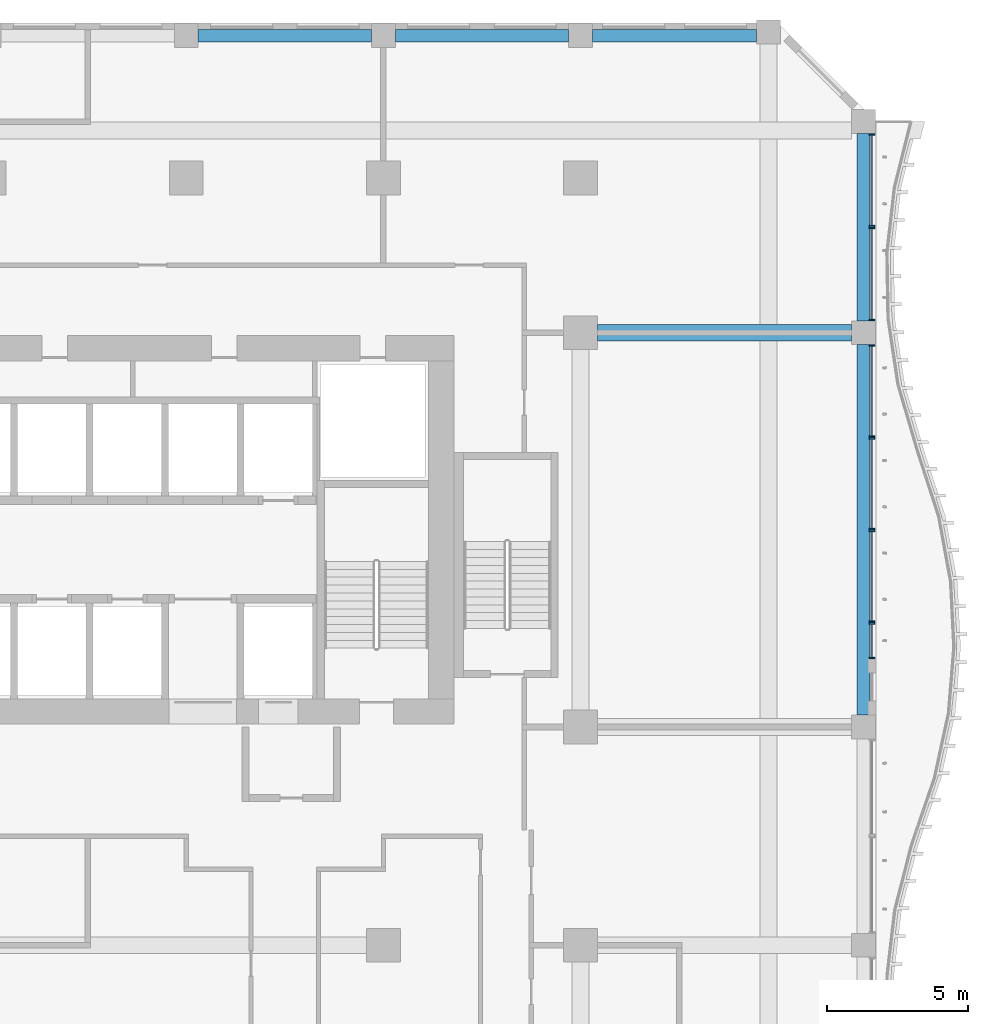
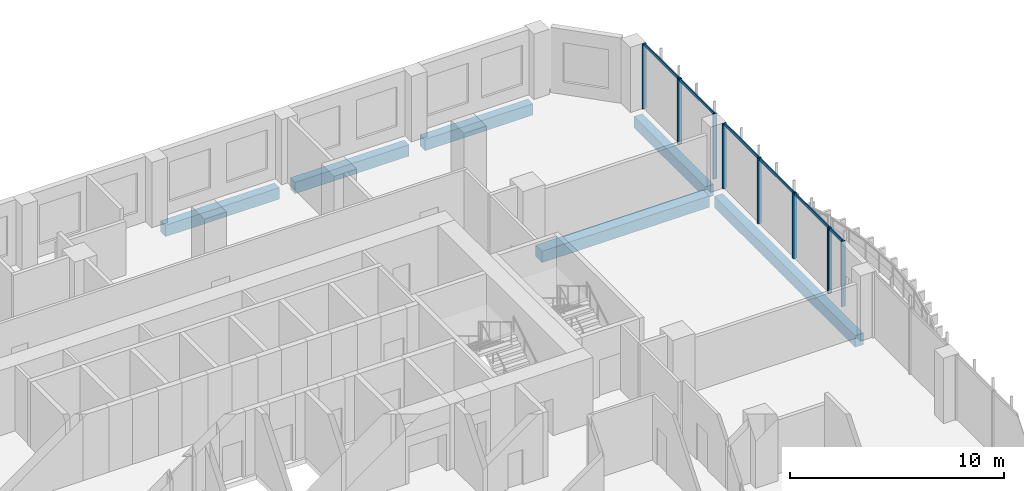
# One storey, part 10 of 26: 18 members, 6 beams, 6 elements without a shape of their own.
"""IFC4 building model written with IfcOpenShell, lengths in metres."""

from ifc_helpers import new_model, si_unit, direction, frame, origin, origin_2d, place, context, subcontext, project, spatial, rectangle, extrude, source, transform, mapped, material, material_profile, profile_set, type_object, element, aggregate, save


model = new_model("IFC4")

# Units and contexts
model_context = context("Model", 3, precision=1e-05, world=origin(), true_north=direction((0.0, 1.0)))
body_context = subcontext(model_context, "Body", "Model", "MODEL_VIEW")
ifc_project = project(units=[si_unit("LENGTHUNIT", "METRE"), si_unit("AREAUNIT", "SQUARE_METRE"), si_unit("VOLUMEUNIT", "CUBIC_METRE"), si_unit("PLANEANGLEUNIT", "RADIAN"), si_unit("MASSUNIT", "GRAM", prefix="KILO")], contexts=[model_context])

# Site, building, storey
site_placement = place(None, origin())
site = spatial("IfcSite", under=ifc_project, at=site_placement, CompositionType="ELEMENT")
building_placement = place(site_placement, origin())
building = spatial("IfcBuilding", under=site, at=building_placement, Name="Kilnfold Tower and Market Hall", CompositionType="ELEMENT")
storey_placement = place(building_placement, frame((0.0, 0.0, 104.60009765625)))
storey = spatial("IfcBuildingStorey", under=building, at=storey_placement, Name="L24", CompositionType="ELEMENT", Elevation=104.60009765625)

# Beams
ifc_material_1 = material(Name="Concrete C45", Category="concrete")
ifc_material_profile_1 = material_profile(ifc_material_1, rectangle(XDim=0.449951171875, YDim=0.64990234375, at=origin_2d()), Name="RC 450x650")
ifc_profile_set_1 = profile_set([ifc_material_profile_1], Name="Concrete C45")
beam_type_1 = type_object("IfcBeamType", Name="EDGE BEAM 450X650 C45", PredefinedType="BEAM", material=ifc_profile_set_1)
shared_shape_1 = source(origin(), body_context, "Body", "SweptSolid", [
    extrude(rectangle(XDim=0.449951171875, YDim=0.64990234375, at=origin_2d()), origin(), (0.0, 0.0, 1.0), 6.14990234375),
])
for number, where, z_axis, x_axis, name in (
    (1, (8.925048828125, 32.550048828125, -0.60498046875), (1.0, 0.0, 0.0), (0.0, 1.0, 0.0), "Beam EB650-B3.71"),
    (2, (15.925048828125, 32.550048828125, -0.60498046875), (1.0, 0.0, 0.0), (0.0, 1.0, 0.0), "Beam EB650-B3.72"),
):
    element("IfcBeam", number, at=place(storey_placement, frame(where, z_axis=z_axis, x_axis=x_axis)), inside=storey, type_object=beam_type_1, Name=name, PredefinedType="BEAM", context=body_context, shape_type="MappedRepresentation", body=[
        mapped(shared_shape_1, transform((0.0, 0.0, 0.0))),
    ])
ifc_material_2 = material(Name="Concrete C45", Category="concrete")
ifc_material_profile_2 = material_profile(ifc_material_2, rectangle(XDim=0.60009765625, YDim=0.64990234375, at=origin_2d()), Name="RC 600x650")
ifc_profile_set_2 = profile_set([ifc_material_profile_2], Name="Concrete C45")
beam_type_2 = type_object("IfcBeamType", Name="BEAM 600X650 C45", PredefinedType="BEAM", material=ifc_profile_set_2)
shared_shape_2 = source(origin(), body_context, "Body", "SweptSolid", [
    extrude(rectangle(XDim=0.60009765625, YDim=0.64990234375, at=origin_2d()), origin(), (0.0, 0.0, 1.0), 9.02490234375),
])
beam_1_placement = place(storey_placement, frame((23.10009765625, 22.0, -0.60498046875), z_axis=(1.0, 0.0, 0.0), x_axis=(0.0, 1.0, 0.0)))
element("IfcBeam", 3, at=beam_1_placement, inside=storey, type_object=beam_type_2, Name="Beam BB650-B3.65", PredefinedType="BEAM", context=body_context, shape_type="MappedRepresentation", body=[
    mapped(shared_shape_2, transform((0.0, 0.0, 0.0))),
])
shared_shape_3 = source(origin(), body_context, "Body", "SweptSolid", [
    extrude(rectangle(XDim=0.449951171875, YDim=0.64990234375, at=origin_2d()), origin(), (0.0, 0.0, 1.0), 5.831787109375),
])
beam_2_placement = place(storey_placement, frame((22.925048828125, 32.550048828125, -0.60498046875), z_axis=(1.0, 0.0, 0.0), x_axis=(0.0, 1.0, 0.0)))
element("IfcBeam", 4, at=beam_2_placement, inside=storey, type_object=beam_type_1, Name="Beam EB650-B3.73", PredefinedType="BEAM", context=body_context, shape_type="MappedRepresentation", body=[
    mapped(shared_shape_3, transform((0.0, 0.0, 0.0))),
])
shared_shape_4 = source(origin(), body_context, "Body", "SweptSolid", [
    extrude(rectangle(XDim=0.449951171875, YDim=0.64990234375, at=origin_2d()), origin(), (0.0, 0.0, 1.0), 13.14990234375),
])
beam_3_placement = place(storey_placement, frame((32.550048828125, 8.425048828125, -0.60498046875), z_axis=(0.0, 1.0, 0.0), x_axis=(-1.0, 0.0, 0.0)))
element("IfcBeam", 5, at=beam_3_placement, inside=storey, type_object=beam_type_1, Name="Beam EB650-B3.86", PredefinedType="BEAM", context=body_context, shape_type="MappedRepresentation", body=[
    mapped(shared_shape_4, transform((0.0, 0.0, 0.0))),
])
shared_shape_5 = source(origin(), body_context, "Body", "SweptSolid", [
    extrude(rectangle(XDim=0.449951171875, YDim=0.64990234375, at=origin_2d()), origin(), (0.0, 0.0, 1.0), 6.64990234375),
])
beam_4_placement = place(storey_placement, frame((32.550048828125, 22.425048828125, -0.60498046875), z_axis=(0.0, 1.0, 0.0), x_axis=(-1.0, 0.0, 0.0)))
element("IfcBeam", 6, at=beam_4_placement, inside=storey, type_object=beam_type_1, Name="Beam EB650-B3.87", PredefinedType="BEAM", context=body_context, shape_type="MappedRepresentation", body=[
    mapped(shared_shape_5, transform((0.0, 0.0, 0.0))),
])

# Curtain wall, members
ifc_material_3 = material(Name="Aluminium and double glazing", Category="aluminium")
curtain_wall_type = type_object("IfcCurtainWallType", Name="CW OF2 VALLEY GLAZING", PredefinedType="NOTDEFINED", material=ifc_material_3)
curtain_wall_1_placement = place(storey_placement, origin())
curtain_wall_1 = element("IfcCurtainWall", 7, at=curtain_wall_1_placement, inside=storey, type_object=curtain_wall_type, Name="Curtain wall CW2 L24 E", PredefinedType="NOTDEFINED")
ifc_material_4 = material(Name="Aluminium", Category="aluminium")
ifc_material_profile_3 = material_profile(ifc_material_4, rectangle(XDim=0.06005859375, YDim=0.199951171875, at=origin_2d()), Name="MULLION 60x200")
ifc_profile_set_3 = profile_set([ifc_material_profile_3], Name="Aluminium")
member_type_1 = type_object("IfcMemberType", Name="MULLION 60X200", PredefinedType="MULLION", material=ifc_profile_set_3)
shared_shape_6 = source(origin(), body_context, "Body", "SweptSolid", [
    extrude(rectangle(XDim=0.06005859375, YDim=0.199951171875, at=origin_2d()), origin(), (0.0, 0.0, 1.0), 3.719970703125),
])
member_1_placement = place(storey_placement, frame((32.85009765625, 10.455078125, 0.0), z_axis=(0.0, 0.0, 1.0), x_axis=(0.0, 1.0, 0.0)))
member_1 = element("IfcMember", 8, at=member_1_placement, type_object=member_type_1, Name="CW2 mullion 1", PredefinedType="MULLION", context=body_context, shape_type="MappedRepresentation", body=[
    mapped(shared_shape_6, transform((0.0, 0.0, 0.0))),
])
member_2_placement = place(storey_placement, frame((32.85009765625, 11.6826171875, 0.0), z_axis=(0.0, 0.0, 1.0), x_axis=(0.0, 1.0, 0.0)))
member_2 = element("IfcMember", 9, at=member_2_placement, type_object=member_type_1, Name="CW2 mullion 2", PredefinedType="MULLION", context=body_context, shape_type="MappedRepresentation", body=[
    mapped(shared_shape_6, transform((0.0, 0.0, 0.0))),
])

curtain_wall_2_placement = place(storey_placement, origin())
curtain_wall_2 = element("IfcCurtainWall", 10, at=curtain_wall_2_placement, inside=storey, type_object=curtain_wall_type, Name="Curtain wall CW2 L24 E", PredefinedType="NOTDEFINED")
member_3_placement = place(storey_placement, frame((32.85009765625, 11.742431640625, 0.0), z_axis=(0.0, 0.0, 1.0), x_axis=(0.0, 1.0, 0.0)))
member_3 = element("IfcMember", 11, at=member_3_placement, type_object=member_type_1, Name="CW2 mullion 1", PredefinedType="MULLION", context=body_context, shape_type="MappedRepresentation", body=[
    mapped(shared_shape_6, transform((0.0, 0.0, 0.0))),
])
member_4_placement = place(storey_placement, frame((32.85009765625, 14.969970703125, 0.0), z_axis=(0.0, 0.0, 1.0), x_axis=(0.0, 1.0, 0.0)))
member_4 = element("IfcMember", 12, at=member_4_placement, type_object=member_type_1, Name="CW2 mullion 2", PredefinedType="MULLION", context=body_context, shape_type="MappedRepresentation", body=[
    mapped(shared_shape_6, transform((0.0, 0.0, 0.0))),
])

curtain_wall_3_placement = place(storey_placement, origin())
curtain_wall_3 = element("IfcCurtainWall", 13, at=curtain_wall_3_placement, inside=storey, type_object=curtain_wall_type, Name="Curtain wall CW2 L24 E", PredefinedType="NOTDEFINED")
member_5_placement = place(storey_placement, frame((32.85009765625, 15.030029296875, 0.0), z_axis=(0.0, 0.0, 1.0), x_axis=(0.0, 1.0, 0.0)))
member_5 = element("IfcMember", 14, at=member_5_placement, type_object=member_type_1, Name="CW2 mullion 1", PredefinedType="MULLION", context=body_context, shape_type="MappedRepresentation", body=[
    mapped(shared_shape_6, transform((0.0, 0.0, 0.0))),
])
member_6_placement = place(storey_placement, frame((32.85009765625, 18.257568359375, 0.0), z_axis=(0.0, 0.0, 1.0), x_axis=(0.0, 1.0, 0.0)))
member_6 = element("IfcMember", 15, at=member_6_placement, type_object=member_type_1, Name="CW2 mullion 2", PredefinedType="MULLION", context=body_context, shape_type="MappedRepresentation", body=[
    mapped(shared_shape_6, transform((0.0, 0.0, 0.0))),
])

curtain_wall_4_placement = place(storey_placement, origin())
curtain_wall_4 = element("IfcCurtainWall", 16, at=curtain_wall_4_placement, inside=storey, type_object=curtain_wall_type, Name="Curtain wall CW2 L24 E", PredefinedType="NOTDEFINED")
member_7_placement = place(storey_placement, frame((32.85009765625, 18.3173828125, 0.0), z_axis=(0.0, 0.0, 1.0), x_axis=(0.0, 1.0, 0.0)))
member_7 = element("IfcMember", 17, at=member_7_placement, type_object=member_type_1, Name="CW2 mullion 1", PredefinedType="MULLION", context=body_context, shape_type="MappedRepresentation", body=[
    mapped(shared_shape_6, transform((0.0, 0.0, 0.0))),
])
member_8_placement = place(storey_placement, frame((32.85009765625, 21.544921875, 0.0), z_axis=(0.0, 0.0, 1.0), x_axis=(0.0, 1.0, 0.0)))
member_8 = element("IfcMember", 18, at=member_8_placement, type_object=member_type_1, Name="CW2 mullion 2", PredefinedType="MULLION", context=body_context, shape_type="MappedRepresentation", body=[
    mapped(shared_shape_6, transform((0.0, 0.0, 0.0))),
])

curtain_wall_5_placement = place(storey_placement, origin())
curtain_wall_5 = element("IfcCurtainWall", 19, at=curtain_wall_5_placement, inside=storey, type_object=curtain_wall_type, Name="Curtain wall CW2 L24 E", PredefinedType="NOTDEFINED")
member_9_placement = place(storey_placement, frame((32.85009765625, 22.455078125, 0.0), z_axis=(0.0, 0.0, 1.0), x_axis=(0.0, 1.0, 0.0)))
member_9 = element("IfcMember", 20, at=member_9_placement, type_object=member_type_1, Name="CW2 mullion 1", PredefinedType="MULLION", context=body_context, shape_type="MappedRepresentation", body=[
    mapped(shared_shape_6, transform((0.0, 0.0, 0.0))),
])
member_10_placement = place(storey_placement, frame((32.85009765625, 25.719970703125, 0.0), z_axis=(0.0, 0.0, 1.0), x_axis=(0.0, 1.0, 0.0)))
member_10 = element("IfcMember", 21, at=member_10_placement, type_object=member_type_1, Name="CW2 mullion 2", PredefinedType="MULLION", context=body_context, shape_type="MappedRepresentation", body=[
    mapped(shared_shape_6, transform((0.0, 0.0, 0.0))),
])

curtain_wall_6_placement = place(storey_placement, origin())
curtain_wall_6 = element("IfcCurtainWall", 22, at=curtain_wall_6_placement, inside=storey, type_object=curtain_wall_type, Name="Curtain wall CW2 L24 E", PredefinedType="NOTDEFINED")
member_11_placement = place(storey_placement, frame((32.85009765625, 25.780029296875, 0.0), z_axis=(0.0, 0.0, 1.0), x_axis=(0.0, 1.0, 0.0)))
member_11 = element("IfcMember", 23, at=member_11_placement, type_object=member_type_1, Name="CW2 mullion 1", PredefinedType="MULLION", context=body_context, shape_type="MappedRepresentation", body=[
    mapped(shared_shape_6, transform((0.0, 0.0, 0.0))),
])
member_12_placement = place(storey_placement, frame((32.85009765625, 29.044921875, 0.0), z_axis=(0.0, 0.0, 1.0), x_axis=(0.0, 1.0, 0.0)))
member_12 = element("IfcMember", 24, at=member_12_placement, type_object=member_type_1, Name="CW2 mullion 2", PredefinedType="MULLION", context=body_context, shape_type="MappedRepresentation", body=[
    mapped(shared_shape_6, transform((0.0, 0.0, 0.0))),
])

# Member
ifc_material_5 = material(Name="Aluminium", Category="aluminium")
ifc_material_profile_4 = material_profile(ifc_material_5, rectangle(XDim=0.06005859375, YDim=0.159912109375, at=origin_2d()), Name="TRANSOM 60x160")
ifc_profile_set_4 = profile_set([ifc_material_profile_4], Name="Aluminium")
member_type_2 = type_object("IfcMemberType", Name="TRANSOM 60X160", PredefinedType="USERDEFINED", material=ifc_profile_set_4)
shared_shape_7 = source(origin(), body_context, "Body", "SweptSolid", [
    extrude(rectangle(XDim=0.06005859375, YDim=0.159912109375, at=origin_2d()), origin(), (0.0, 0.0, 1.0), 3.16748046875),
])
member_13_placement = place(storey_placement, frame((32.85009765625, 11.7724609375, 3.68994140625), z_axis=(0.0, 1.0, 0.0), x_axis=(-1.0, 0.0, 0.0)))
member_13 = element("IfcMember", 25, at=member_13_placement, type_object=member_type_2, Name="CW2 transom 1.2", ObjectType="TRANSOM", PredefinedType="USERDEFINED", context=body_context, shape_type="MappedRepresentation", body=[
    mapped(shared_shape_7, transform((0.0, 0.0, 0.0))),
])

aggregate(curtain_wall_2, [member_3, member_4, member_13])

member_14_placement = place(storey_placement, frame((32.85009765625, 15.06005859375, 3.68994140625), z_axis=(0.0, 1.0, 0.0), x_axis=(-1.0, 0.0, 0.0)))
member_14 = element("IfcMember", 26, at=member_14_placement, type_object=member_type_2, Name="CW2 transom 1.2", ObjectType="TRANSOM", PredefinedType="USERDEFINED", context=body_context, shape_type="MappedRepresentation", body=[
    mapped(shared_shape_7, transform((0.0, 0.0, 0.0))),
])

aggregate(curtain_wall_3, [member_5, member_6, member_14])

member_15_placement = place(storey_placement, frame((32.85009765625, 18.347412109375, 3.68994140625), z_axis=(0.0, 1.0, 0.0), x_axis=(-1.0, 0.0, 0.0)))
member_15 = element("IfcMember", 27, at=member_15_placement, type_object=member_type_2, Name="CW2 transom 1.2", ObjectType="TRANSOM", PredefinedType="USERDEFINED", context=body_context, shape_type="MappedRepresentation", body=[
    mapped(shared_shape_7, transform((0.0, 0.0, 0.0))),
])

aggregate(curtain_wall_4, [member_7, member_8, member_15])

shared_shape_8 = source(origin(), body_context, "Body", "SweptSolid", [
    extrude(rectangle(XDim=0.06005859375, YDim=0.159912109375, at=origin_2d()), origin(), (0.0, 0.0, 1.0), 3.204833984375),
])
member_16_placement = place(storey_placement, frame((32.85009765625, 22.485107421875, 3.68994140625), z_axis=(0.0, 1.0, 0.0), x_axis=(-1.0, 0.0, 0.0)))
member_16 = element("IfcMember", 28, at=member_16_placement, type_object=member_type_2, Name="CW2 transom 1.2", ObjectType="TRANSOM", PredefinedType="USERDEFINED", context=body_context, shape_type="MappedRepresentation", body=[
    mapped(shared_shape_8, transform((0.0, 0.0, 0.0))),
])

aggregate(curtain_wall_5, [member_9, member_10, member_16])

member_17_placement = place(storey_placement, frame((32.85009765625, 25.81005859375, 3.68994140625), z_axis=(0.0, 1.0, 0.0), x_axis=(-1.0, 0.0, 0.0)))
member_17 = element("IfcMember", 29, at=member_17_placement, type_object=member_type_2, Name="CW2 transom 1.2", ObjectType="TRANSOM", PredefinedType="USERDEFINED", context=body_context, shape_type="MappedRepresentation", body=[
    mapped(shared_shape_8, transform((0.0, 0.0, 0.0))),
])

aggregate(curtain_wall_6, [member_11, member_12, member_17])

shared_shape_9 = source(origin(), body_context, "Body", "SweptSolid", [
    extrude(rectangle(XDim=0.06005859375, YDim=0.159912109375, at=origin_2d()), origin(), (0.0, 0.0, 1.0), 1.16748046875),
])
member_18_placement = place(storey_placement, frame((32.85009765625, 10.485107421875, 3.68994140625), z_axis=(0.0, 1.0, 0.0), x_axis=(-1.0, 0.0, 0.0)))
member_18 = element("IfcMember", 30, at=member_18_placement, type_object=member_type_2, Name="CW2 transom 1.2", ObjectType="TRANSOM", PredefinedType="USERDEFINED", context=body_context, shape_type="MappedRepresentation", body=[
    mapped(shared_shape_9, transform((0.0, 0.0, 0.0))),
])

aggregate(curtain_wall_1, [member_1, member_2, member_18])

save(model, "model.ifc")
